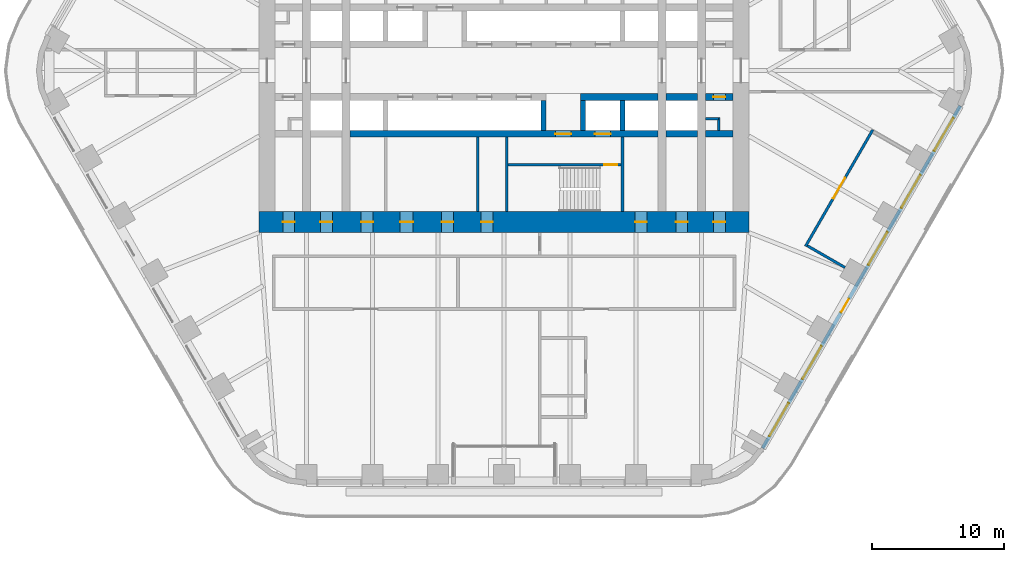
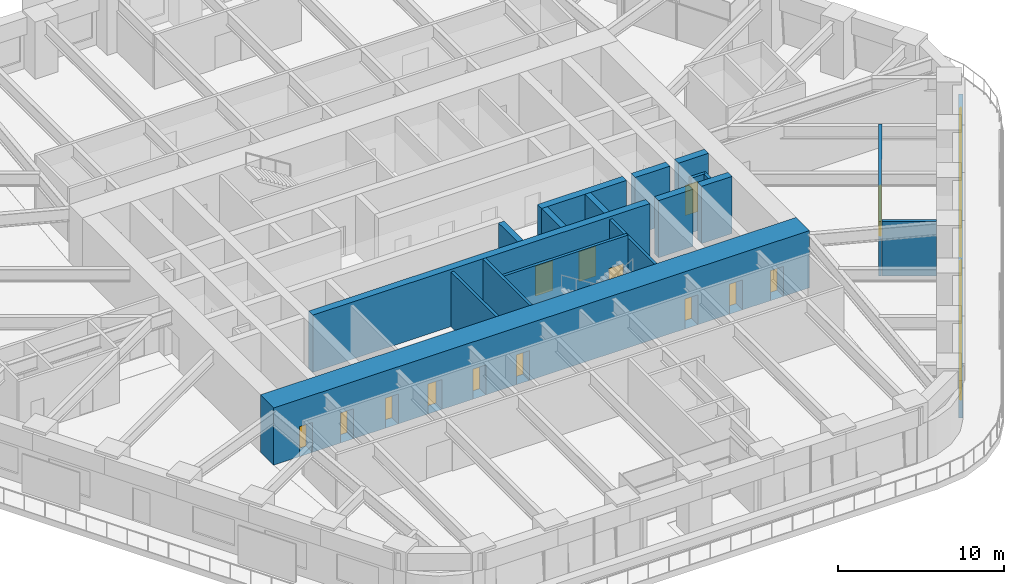
# One storey, part 18 of 24: 19 walls, 15 doors, 5 windows, 20 openings.
"""IFC4 building model written with IfcOpenShell, lengths in metres."""

from ifc_helpers import new_model, si_unit, direction, frame, frame_2d, origin, place, context, subcontext, project, spatial, rectangle, extrude, material, layer, layer_set, type_object, element, fill, save


model = new_model("IFC4")

# Units and contexts
model_context = context("Model", 3, precision=1e-05, world=origin(), true_north=direction((0.0, 1.0)))
body_context = subcontext(model_context, "Body", "Model", "MODEL_VIEW")
ifc_project = project(units=[si_unit("LENGTHUNIT", "METRE"), si_unit("AREAUNIT", "SQUARE_METRE"), si_unit("VOLUMEUNIT", "CUBIC_METRE"), si_unit("PLANEANGLEUNIT", "RADIAN"), si_unit("MASSUNIT", "GRAM", prefix="KILO")], contexts=[model_context])

# Site, building, storey
site_placement = place(None, origin())
site = spatial("IfcSite", under=ifc_project, at=site_placement, CompositionType="ELEMENT")
building_placement = place(site_placement, origin())
building = spatial("IfcBuilding", under=site, at=building_placement, Name="Tarfa Lantern Tower", CompositionType="ELEMENT")
storey_placement = place(building_placement, frame((0.0, 0.0, 153.10009765625)))
storey = spatial("IfcBuildingStorey", under=building, at=storey_placement, Name="L34", CompositionType="ELEMENT", Elevation=153.10009765625)

# Wall, openings, door, windows
ifc_material_1 = material(Name="Limestone cladding on blockwork", Category="masonry")
ifc_layer_1 = layer(ifc_material_1, 0.300048828125)
ifc_layer_set_1 = layer_set([ifc_layer_1], Name="EW1 STONE-CLAD WALL 300")
wall_type_1 = type_object("IfcWallType", Name="EW1 STONE-CLAD WALL 300", PredefinedType="SOLIDWALL", material=ifc_layer_set_1)
wall_1_placement = place(storey_placement, frame((19.644287109375, -28.675048828125, 0.0), z_axis=(0.0, 0.0, 1.0), x_axis=(0.500003084452, 0.866023622968, 0.0)))
wall_1 = element("IfcWall", 1, at=wall_1_placement, inside=storey, type_object=wall_type_1, Name="Stone wall SE", PredefinedType="SOLIDWALL", context=body_context, shape_type="SweptSolid", body=[
    extrude(rectangle(XDim=30.022216796875, YDim=0.300048828125, at=frame_2d((15.01123046875, 0.0))), origin(), (0.0, 0.0, 1.0), 2.75),
])
opening_1_placement = place(wall_1_placement, frame((1.0517578125, 0.0, 0.60009765625)))
opening_1 = element("IfcOpeningElement", 2, at=opening_1_placement, cuts=wall_1, Name="Opening W9", PredefinedType="OPENING", context=body_context, shape_type="SweptSolid", body=[
    extrude(rectangle(XDim=2.89990234375, YDim=1.89990234375, at=frame_2d((1.449951171875, 0.949951171875))), frame((0.0, 0.159912109375, 0.0), z_axis=(0.0, -1.0, 0.0), x_axis=(1.0, 0.0, 0.0)), (0.0, 0.0, 1.0), 0.320068359375),
])
opening_2_placement = place(wall_1_placement, frame((6.0556640625, 0.0, 0.60009765625)))
opening_2 = element("IfcOpeningElement", 3, at=opening_2_placement, cuts=wall_1, Name="Opening W9", PredefinedType="OPENING", context=body_context, shape_type="SweptSolid", body=[
    extrude(rectangle(XDim=2.89990234375, YDim=1.89990234375, at=frame_2d((1.449951171875, 0.949951171875))), frame((0.0, 0.159912109375, 0.0), z_axis=(0.0, -1.0, 0.0), x_axis=(1.0, 0.0, 0.0)), (0.0, 0.0, 1.0), 0.320068359375),
])
opening_3_placement = place(wall_1_placement, frame((11.9091796875, 0.0, 0.0)))
opening_3 = element("IfcOpeningElement", 4, at=opening_3_placement, cuts=wall_1, Name="Opening D49", PredefinedType="OPENING", context=body_context, shape_type="SweptSolid", body=[
    extrude(rectangle(XDim=1.199951171875, YDim=2.39990234375, at=frame_2d((0.60009765625, 1.199951171875))), frame((0.0, 0.159912109375, 0.0), z_axis=(0.0, -1.0, 0.0), x_axis=(1.0, 0.0, 0.0)), (0.0, 0.0, 1.0), 0.320068359375),
])
opening_4_placement = place(wall_1_placement, frame((16.06298828125, 0.0, 0.60009765625)))
opening_4 = element("IfcOpeningElement", 5, at=opening_4_placement, cuts=wall_1, Name="Opening W9", PredefinedType="OPENING", context=body_context, shape_type="SweptSolid", body=[
    extrude(rectangle(XDim=2.89990234375, YDim=1.89990234375, at=frame_2d((1.449951171875, 0.949951171875))), frame((0.0, 0.159912109375, 0.0), z_axis=(0.0, -1.0, 0.0), x_axis=(1.0, 0.0, 0.0)), (0.0, 0.0, 1.0), 0.320068359375),
])
opening_5_placement = place(wall_1_placement, frame((21.066650390625, 0.0, 0.60009765625)))
opening_5 = element("IfcOpeningElement", 6, at=opening_5_placement, cuts=wall_1, Name="Opening W9", PredefinedType="OPENING", context=body_context, shape_type="SweptSolid", body=[
    extrude(rectangle(XDim=2.89990234375, YDim=1.89990234375, at=frame_2d((1.449951171875, 0.949951171875))), frame((0.0, 0.159912109375, 0.0), z_axis=(0.0, -1.0, 0.0), x_axis=(1.0, 0.0, 0.0)), (0.0, 0.0, 1.0), 0.320068359375),
])
opening_6_placement = place(wall_1_placement, frame((26.0703125, 0.0, 0.60009765625)))
opening_6 = element("IfcOpeningElement", 7, at=opening_6_placement, cuts=wall_1, Name="Opening W9", PredefinedType="OPENING", context=body_context, shape_type="SweptSolid", body=[
    extrude(rectangle(XDim=2.89990234375, YDim=1.89990234375, at=frame_2d((1.449951171875, 0.949951171875))), frame((0.0, 0.159912109375, 0.0), z_axis=(0.0, -1.0, 0.0), x_axis=(1.0, 0.0, 0.0)), (0.0, 0.0, 1.0), 0.320068359375),
])
ifc_material_2 = material(Name="Aluminium framed glazed door", Category="aluminium")
door_type_1 = type_object("IfcDoorType", Name="BE3 BALCONY DOOR 1200x2400", OperationType="SINGLE_SWING_RIGHT", PredefinedType="DOOR", material=ifc_material_2)
door_1_placement = place(opening_3_placement, origin())
door_1 = element("IfcDoor", 8, at=door_1_placement, inside=storey, type_object=door_type_1, Name="Balcony door SE", OperationType="SINGLE_SWING_LEFT", OverallHeight=2.39990234375, OverallWidth=1.199951171875, PredefinedType="DOOR", context=body_context, shape_type="SweptSolid", body=[
    extrude(rectangle(XDim=1.199951171875, YDim=2.39990234375, at=frame_2d((0.60009765625, 1.199951171875))), frame((0.0, 0.02490234375, 0.0), z_axis=(0.0, -1.0, 0.0), x_axis=(1.0, 0.0, 0.0)), (0.0, 0.0, 1.0), 0.050048828125),
])
fill(opening_3, door_1)
ifc_material_3 = material(Name="Aluminium frame, double glazed", Category="aluminium")
window_type = type_object("IfcWindowType", Name="W9 FULL-HEIGHT GLAZING 2900x1900", PartitioningType="SINGLE_PANEL", PredefinedType="WINDOW", material=ifc_material_3)
window_1_placement = place(opening_1_placement, origin())
window_1 = element("IfcWindow", 9, at=window_1_placement, inside=storey, type_object=window_type, Name="Window SE 1", OverallHeight=1.89990234375, OverallWidth=2.89990234375, PartitioningType="SINGLE_PANEL", PredefinedType="WINDOW", context=body_context, shape_type="SweptSolid", body=[
    extrude(rectangle(XDim=2.89990234375, YDim=1.89990234375, at=frame_2d((1.449951171875, 0.949951171875))), frame((0.0, 0.030029296875, 0.0), z_axis=(0.0, -1.0, 0.0), x_axis=(1.0, 0.0, 0.0)), (0.0, 0.0, 1.0), 0.06005859375),
])
fill(opening_1, window_1)
window_2_placement = place(opening_2_placement, origin())
window_2 = element("IfcWindow", 10, at=window_2_placement, inside=storey, type_object=window_type, Name="Window SE 2", OverallHeight=1.89990234375, OverallWidth=2.89990234375, PartitioningType="SINGLE_PANEL", PredefinedType="WINDOW", context=body_context, shape_type="SweptSolid", body=[
    extrude(rectangle(XDim=2.89990234375, YDim=1.89990234375, at=frame_2d((1.449951171875, 0.949951171875))), frame((0.0, 0.030029296875, 0.0), z_axis=(0.0, -1.0, 0.0), x_axis=(1.0, 0.0, 0.0)), (0.0, 0.0, 1.0), 0.06005859375),
])
fill(opening_2, window_2)
window_3_placement = place(opening_4_placement, origin())
window_3 = element("IfcWindow", 11, at=window_3_placement, inside=storey, type_object=window_type, Name="Window SE 4", OverallHeight=1.89990234375, OverallWidth=2.89990234375, PartitioningType="SINGLE_PANEL", PredefinedType="WINDOW", context=body_context, shape_type="SweptSolid", body=[
    extrude(rectangle(XDim=2.89990234375, YDim=1.89990234375, at=frame_2d((1.449951171875, 0.949951171875))), frame((0.0, 0.030029296875, 0.0), z_axis=(0.0, -1.0, 0.0), x_axis=(1.0, 0.0, 0.0)), (0.0, 0.0, 1.0), 0.06005859375),
])
fill(opening_4, window_3)
window_4_placement = place(opening_5_placement, origin())
window_4 = element("IfcWindow", 12, at=window_4_placement, inside=storey, type_object=window_type, Name="Window SE 5", OverallHeight=1.89990234375, OverallWidth=2.89990234375, PartitioningType="SINGLE_PANEL", PredefinedType="WINDOW", context=body_context, shape_type="SweptSolid", body=[
    extrude(rectangle(XDim=2.89990234375, YDim=1.89990234375, at=frame_2d((1.449951171875, 0.949951171875))), frame((0.0, 0.030029296875, 0.0), z_axis=(0.0, -1.0, 0.0), x_axis=(1.0, 0.0, 0.0)), (0.0, 0.0, 1.0), 0.06005859375),
])
fill(opening_5, window_4)
window_5_placement = place(opening_6_placement, origin())
window_5 = element("IfcWindow", 13, at=window_5_placement, inside=storey, type_object=window_type, Name="Window SE 6", OverallHeight=1.89990234375, OverallWidth=2.89990234375, PartitioningType="SINGLE_PANEL", PredefinedType="WINDOW", context=body_context, shape_type="SweptSolid", body=[
    extrude(rectangle(XDim=2.89990234375, YDim=1.89990234375, at=frame_2d((1.449951171875, 0.949951171875))), frame((0.0, 0.030029296875, 0.0), z_axis=(0.0, -1.0, 0.0), x_axis=(1.0, 0.0, 0.0)), (0.0, 0.0, 1.0), 0.06005859375),
])
fill(opening_6, window_5)

# Walls
ifc_material_4 = material(Name="Concrete blockwork", Category="masonry")
ifc_layer_2 = layer(ifc_material_4, 0.199951171875)
ifc_layer_set_2 = layer_set([ifc_layer_2], Name="IW1 BLOCKWORK PARTITION 200 EI 120")
wall_type_2 = type_object("IfcWallType", Name="IW1 BLOCKWORK PARTITION 200 EI 120", PredefinedType="PARTITIONING", material=ifc_layer_set_2)
for number, where, z_axis, x_axis, name in (
    (14, (9.0, -5.050048828125, 0.0), (0.0, 0.0, 1.0), (0.0, -1.0, 0.0), "Core partition"),
    (15, (-2.0, -5.050048828125, 0.0), (0.0, 0.0, 1.0), (0.0, -1.0, 0.0), "Core partition"),
):
    element("IfcWall", number, at=place(storey_placement, frame(where, z_axis=z_axis, x_axis=x_axis)), inside=storey, type_object=wall_type_2, Name=name, PredefinedType="PARTITIONING", context=body_context, shape_type="SweptSolid", body=[
        extrude(rectangle(XDim=5.64990234375, YDim=0.199951171875, at=frame_2d((2.824951171875, 0.0))), origin(), (0.0, 0.0, 1.0), 4.0),
    ])
for number, where, z_axis, x_axis, name in (
    (16, (16.300048828125, -3.64990234375, 0.0), (0.0, 0.0, 1.0), (-1.0, 0.0, 0.0), "Core partition"),
    (17, (16.300048828125, -3.550048828125, 0.0), (0.0, 0.0, 1.0), (0.0, -1.0, 0.0), "Core partition"),
):
    element("IfcWall", number, at=place(storey_placement, frame(where, z_axis=z_axis, x_axis=x_axis)), inside=storey, type_object=wall_type_2, Name=name, PredefinedType="PARTITIONING", context=body_context, shape_type="SweptSolid", body=[
        extrude(rectangle(XDim=1.0, YDim=0.199951171875, at=frame_2d((0.5, 0.0))), origin(), (0.0, 0.0, 1.0), 4.0),
    ])

# Wall, opening, door
ifc_material_5 = material(Name="Gypsum board on steel studs", Category="steel")
ifc_layer_3 = layer(ifc_material_5, 0.2099609375)
ifc_layer_set_3 = layer_set([ifc_layer_3], Name="IW2 ACOUSTIC PARTITION 200")
wall_type_3 = type_object("IfcWallType", Name="IW2 ACOUSTIC PARTITION 200", PredefinedType="PARTITIONING", material=ifc_layer_set_3)
wall_2_placement = place(storey_placement, frame((22.899658203125, -13.336669921875, 0.0), z_axis=(0.0, 0.0, 1.0), x_axis=(0.500005407604, 0.86602228168, 0.0)))
wall_2 = element("IfcWall", 18, at=wall_2_placement, inside=storey, type_object=wall_type_3, Name="Partition", PredefinedType="PARTITIONING", context=body_context, shape_type="SweptSolid", body=[
    extrude(rectangle(XDim=10.20751953125, YDim=0.199951171875, at=frame_2d((5.103759765625, 0.0))), origin(), (0.0, 0.0, 1.0), 4.0),
])
opening_7_placement = place(wall_2_placement, frame((4.20361328125, 0.0, 0.0)))
opening_7 = element("IfcOpeningElement", 19, at=opening_7_placement, cuts=wall_2, Name="Opening D36", PredefinedType="OPENING", context=body_context, shape_type="SweptSolid", body=[
    extrude(rectangle(XDim=1.800048828125, YDim=2.39990234375, at=frame_2d((0.89990234375, 1.199951171875))), frame((0.0, 0.10986328125, 0.0), z_axis=(0.0, -1.0, 0.0), x_axis=(1.0, 0.0, 0.0)), (0.0, 0.0, 1.0), 0.219970703125),
])
ifc_material_6 = material(Name="Timber door", Category="wood")
door_type_2 = type_object("IfcDoorType", Name="DR2 ROOM DOOR 1800x2400", OperationType="DOUBLE_DOOR_SINGLE_SWING", PredefinedType="DOOR", material=ifc_material_6)
door_2_placement = place(opening_7_placement, frame((1.800048828125, 0.0, 0.0), z_axis=(0.0, 0.0, 1.0), x_axis=(-1.0, 0.0, 0.0)))
door_2 = element("IfcDoor", 20, at=door_2_placement, inside=storey, type_object=door_type_2, Name="Reading room door", OperationType="DOUBLE_DOOR_SINGLE_SWING", OverallHeight=2.39990234375, OverallWidth=1.800048828125, PredefinedType="DOOR", context=body_context, shape_type="SweptSolid", body=[
    extrude(rectangle(XDim=1.800048828125, YDim=2.39990234375, at=frame_2d((0.89990234375, 1.199951171875))), frame((0.0, 0.02490234375, 0.0), z_axis=(0.0, -1.0, 0.0), x_axis=(1.0, 0.0, 0.0)), (0.0, 0.0, 1.0), 0.050048828125),
])
fill(opening_7, door_2)

# Walls
wall_3_placement = place(storey_placement, frame((23.036376953125, -13.300048828125, 0.0), z_axis=(0.0, 0.0, 1.0), x_axis=(0.866021716278, -0.500006386895, 0.0)))
element("IfcWall", 21, at=wall_3_placement, inside=storey, type_object=wall_type_3, Name="Partition", PredefinedType="PARTITIONING", context=body_context, shape_type="SweptSolid", body=[
    extrude(rectangle(XDim=3.2998046875, YDim=0.199951171875, at=frame_2d((1.64990234375, 0.0))), origin(), (0.0, 0.0, 1.0), 4.0),
])
ifc_material_7 = material(Name="Concrete C80/95", Category="concrete")
ifc_layer_4 = layer(ifc_material_7, 0.199951171875)
ifc_layer_set_4 = layer_set([ifc_layer_4], Name="SW12 CORE WALL 200")
wall_type_4 = type_object("IfcWallType", Name="SW12 CORE WALL 200", PredefinedType="SHEAR", material=ifc_layer_set_4)
wall_4_placement = place(storey_placement, frame((0.199951171875, -5.050048828125, 0.0), z_axis=(0.0, 0.0, 1.0), x_axis=(0.0, -1.0, 0.0)))
element("IfcWall", 22, at=wall_4_placement, inside=storey, type_object=wall_type_4, Name="Core wall stair shaft S", PredefinedType="SHEAR", context=body_context, shape_type="SweptSolid", body=[
    extrude(rectangle(XDim=5.64990234375, YDim=0.199951171875, at=frame_2d((2.824951171875, 0.0))), origin(), (0.0, 0.0, 1.0), 4.199951171875),
])

# Wall, opening, door
wall_5_placement = place(storey_placement, frame((8.89990234375, -7.14990234375, 0.0), z_axis=(0.0, 0.0, 1.0), x_axis=(-1.0, 0.0, 0.0)))
wall_5 = element("IfcWall", 23, at=wall_5_placement, inside=storey, type_object=wall_type_4, Name="Core wall stair partition S", PredefinedType="SHEAR", context=body_context, shape_type="SweptSolid", body=[
    extrude(rectangle(XDim=8.599853515625, YDim=0.199951171875, at=frame_2d((4.2998046875, 0.0))), origin(), (0.0, 0.0, 1.0), 4.199951171875),
])
opening_8_placement = place(wall_5_placement, frame((0.300048828125, 0.0, 0.0)))
opening_8 = element("IfcOpeningElement", 24, at=opening_8_placement, cuts=wall_5, Name="Opening D28", PredefinedType="OPENING", context=body_context, shape_type="SweptSolid", body=[
    extrude(rectangle(XDim=1.0, YDim=2.199951171875, at=frame_2d((0.5, 1.10009765625))), frame((0.0, 0.10986328125, 0.0), z_axis=(0.0, -1.0, 0.0), x_axis=(1.0, 0.0, 0.0)), (0.0, 0.0, 1.0), 0.219970703125),
])
ifc_material_8 = material(Name="Steel fire door", Category="steel")
door_type_3 = type_object("IfcDoorType", Name="DF2 STAIR DOOR 1000x2200", OperationType="SINGLE_SWING_LEFT", PredefinedType="DOOR", material=ifc_material_8)
door_3_placement = place(opening_8_placement, origin())
door_3 = element("IfcDoor", 25, at=door_3_placement, inside=storey, type_object=door_type_3, Name="Stair door", OperationType="SINGLE_SWING_RIGHT", OverallHeight=2.199951171875, OverallWidth=1.0, PredefinedType="DOOR", context=body_context, shape_type="SweptSolid", body=[
    extrude(rectangle(XDim=1.0, YDim=2.199951171875, at=frame_2d((0.5, 1.10009765625))), frame((0.0, 0.02490234375, 0.0), z_axis=(0.0, -1.0, 0.0), x_axis=(1.0, 0.0, 0.0)), (0.0, 0.0, 1.0), 0.050048828125),
])
fill(opening_8, door_3)

ifc_layer_5 = layer(ifc_material_7, 0.5)
ifc_layer_set_5 = layer_set([ifc_layer_5], Name="SW5 CORE WALL 500")
wall_type_5 = type_object("IfcWallType", Name="SW5 CORE WALL 500", PredefinedType="SHEAR", material=ifc_layer_set_5)
wall_6_placement = place(storey_placement, frame((17.39990234375, -2.0, 0.0), z_axis=(0.0, 0.0, 1.0), x_axis=(-1.0, 0.0, 0.0)))
wall_6 = element("IfcWall", 26, at=wall_6_placement, inside=storey, type_object=wall_type_5, Name="Core wall lobby west S", PredefinedType="SHEAR", context=body_context, shape_type="SweptSolid", body=[
    extrude(rectangle(XDim=2.099853515625, YDim=0.5, at=frame_2d((1.0498046875, 0.0))), origin(), (0.0, 0.0, 1.0), 4.199951171875),
])
opening_9_placement = place(wall_6_placement, frame((0.60009765625, 0.0, 0.0)))
opening_9 = element("IfcOpeningElement", 27, at=opening_9_placement, cuts=wall_6, Name="Opening D20", PredefinedType="OPENING", context=body_context, shape_type="SweptSolid", body=[
    extrude(rectangle(XDim=0.89990234375, YDim=2.199951171875, at=frame_2d((0.449951171875, 1.10009765625))), frame((0.0, 0.260009765625, 0.0), z_axis=(0.0, -1.0, 0.0), x_axis=(1.0, 0.0, 0.0)), (0.0, 0.0, 1.0), 0.52001953125),
])
door_type_4 = type_object("IfcDoorType", Name="DF6 SERVICE ROOM DOOR 900x2200", OperationType="SINGLE_SWING_LEFT", PredefinedType="DOOR", material=ifc_material_8)
door_4_placement = place(opening_9_placement, origin())
door_4 = element("IfcDoor", 28, at=door_4_placement, inside=storey, type_object=door_type_4, Name="Service room door", OperationType="SINGLE_SWING_LEFT", OverallHeight=2.199951171875, OverallWidth=0.89990234375, PredefinedType="DOOR", context=body_context, shape_type="SweptSolid", body=[
    extrude(rectangle(XDim=0.89990234375, YDim=2.199951171875, at=frame_2d((0.449951171875, 1.10009765625))), frame((0.0, 0.02490234375, 0.0), z_axis=(0.0, -1.0, 0.0), x_axis=(1.0, 0.0, 0.0)), (0.0, 0.0, 1.0), 0.050048828125),
])
fill(opening_9, door_4)

# Walls
wall_7_placement = place(storey_placement, frame((14.699951171875, -2.0, 0.0), z_axis=(0.0, 0.0, 1.0), x_axis=(-1.0, 0.0, 0.0)))
element("IfcWall", 29, at=wall_7_placement, inside=storey, type_object=wall_type_5, Name="Core wall lobby west S", PredefinedType="SHEAR", context=body_context, shape_type="SweptSolid", body=[
    extrude(rectangle(XDim=2.39990234375, YDim=0.5, at=frame_2d((1.199951171875, 0.0))), origin(), (0.0, 0.0, 1.0), 4.199951171875),
])
wall_8_placement = place(storey_placement, frame((11.699951171875, -2.0, 0.0), z_axis=(0.0, 0.0, 1.0), x_axis=(-1.0, 0.0, 0.0)))
element("IfcWall", 30, at=wall_8_placement, inside=storey, type_object=wall_type_5, Name="Core wall lobby west S", PredefinedType="SHEAR", context=body_context, shape_type="SweptSolid", body=[
    extrude(rectangle(XDim=5.89990234375, YDim=0.5, at=frame_2d((2.949951171875, 0.0))), origin(), (0.0, 0.0, 1.0), 4.199951171875),
])
wall_9_placement = place(storey_placement, frame((17.39990234375, -4.800048828125, 0.0), z_axis=(0.0, 0.0, 1.0), x_axis=(-1.0, 0.0, 0.0)))
element("IfcWall", 31, at=wall_9_placement, inside=storey, type_object=wall_type_5, Name="Core wall rear S", PredefinedType="SHEAR", context=body_context, shape_type="SweptSolid", body=[
    extrude(rectangle(XDim=2.099853515625, YDim=0.5, at=frame_2d((1.0498046875, 0.0))), origin(), (0.0, 0.0, 1.0), 4.199951171875),
])
wall_10_placement = place(storey_placement, frame((14.699951171875, -4.800048828125, 0.0), z_axis=(0.0, 0.0, 1.0), x_axis=(-1.0, 0.0, 0.0)))
element("IfcWall", 32, at=wall_10_placement, inside=storey, type_object=wall_type_5, Name="Core wall rear S", PredefinedType="SHEAR", context=body_context, shape_type="SweptSolid", body=[
    extrude(rectangle(XDim=2.39990234375, YDim=0.5, at=frame_2d((1.199951171875, 0.0))), origin(), (0.0, 0.0, 1.0), 4.199951171875),
])

# Wall, openings, doors
wall_11_placement = place(storey_placement, frame((11.699951171875, -4.800048828125, 0.0), z_axis=(0.0, 0.0, 1.0), x_axis=(-1.0, 0.0, 0.0)))
wall_11 = element("IfcWall", 33, at=wall_11_placement, inside=storey, type_object=wall_type_5, Name="Core wall rear S", PredefinedType="SHEAR", context=body_context, shape_type="SweptSolid", body=[
    extrude(rectangle(XDim=23.39990234375, YDim=0.5, at=frame_2d((11.699951171875, 0.0))), origin(), (0.0, 0.0, 1.0), 4.199951171875),
])
opening_10_placement = place(wall_11_placement, frame((6.60009765625, 0.0, 0.0)))
opening_10 = element("IfcOpeningElement", 34, at=opening_10_placement, cuts=wall_11, Name="Opening D14", PredefinedType="OPENING", context=body_context, shape_type="SweptSolid", body=[
    extrude(rectangle(XDim=1.199951171875, YDim=2.199951171875, at=frame_2d((0.60009765625, 1.10009765625))), frame((0.0, 0.260009765625, 0.0), z_axis=(0.0, -1.0, 0.0), x_axis=(1.0, 0.0, 0.0)), (0.0, 0.0, 1.0), 0.52001953125),
])
opening_11_placement = place(wall_11_placement, frame((3.60009765625, 0.0, 0.0)))
opening_11 = element("IfcOpeningElement", 35, at=opening_11_placement, cuts=wall_11, Name="Opening LD02", PredefinedType="OPENING", context=body_context, shape_type="SweptSolid", body=[
    extrude(rectangle(XDim=1.199951171875, YDim=2.199951171875, at=frame_2d((0.60009765625, 1.10009765625))), frame((0.0, 0.260009765625, 0.0), z_axis=(0.0, -1.0, 0.0), x_axis=(1.0, 0.0, 0.0)), (0.0, 0.0, 1.0), 0.52001953125),
])
door_type_5 = type_object("IfcDoorType", Name="DF1 FIREFIGHTING LOBBY DOOR 1200x2200", OperationType="SINGLE_SWING_LEFT", PredefinedType="DOOR", material=ifc_material_8)
door_5_placement = place(opening_10_placement, origin())
door_5 = element("IfcDoor", 36, at=door_5_placement, inside=storey, type_object=door_type_5, Name="Firefighting lobby door", OperationType="SINGLE_SWING_LEFT", OverallHeight=2.199951171875, OverallWidth=1.199951171875, PredefinedType="DOOR", context=body_context, shape_type="SweptSolid", body=[
    extrude(rectangle(XDim=1.199951171875, YDim=2.199951171875, at=frame_2d((0.60009765625, 1.10009765625))), frame((0.0, 0.02490234375, 0.0), z_axis=(0.0, -1.0, 0.0), x_axis=(1.0, 0.0, 0.0)), (0.0, 0.0, 1.0), 0.050048828125),
])
fill(opening_10, door_5)
ifc_material_9 = material(Name="Stainless steel lift door", Category="steel")
door_type_6 = type_object("IfcDoorType", Name="LD1 LIFT LANDING DOOR 1200x2200", OperationType="SLIDING_TO_LEFT", PredefinedType="DOOR", material=ifc_material_9)
door_6_placement = place(opening_11_placement, origin())
door_6 = element("IfcDoor", 37, at=door_6_placement, inside=storey, type_object=door_type_6, Name="Landing door FL2", OperationType="SLIDING_TO_LEFT", OverallHeight=2.199951171875, OverallWidth=1.199951171875, PredefinedType="DOOR", context=body_context, shape_type="SweptSolid", body=[
    extrude(rectangle(XDim=1.199951171875, YDim=2.199951171875, at=frame_2d((0.60009765625, 1.10009765625))), frame((0.0, 0.02490234375, 0.0), z_axis=(0.0, -1.0, 0.0), x_axis=(1.0, 0.0, 0.0)), (0.0, 0.0, 1.0), 0.050048828125),
])
fill(opening_11, door_6)

# Walls
ifc_layer_6 = layer(ifc_material_7, 0.39990234375)
ifc_layer_set_6 = layer_set([ifc_layer_6], Name="SW6 CORE WALL 400")
wall_type_6 = type_object("IfcWallType", Name="SW6 CORE WALL 400", PredefinedType="SHEAR", material=ifc_layer_set_6)
for number, where, z_axis, x_axis, name in (
    (38, (9.0, -2.25, 0.0), (0.0, 0.0, 1.0), (0.0, -1.0, 0.0), "Core wall divider S"),
    (39, (6.0, -2.25, 0.0), (0.0, 0.0, 1.0), (0.0, -1.0, 0.0), "Core wall divider S"),
    (40, (3.0, -2.25, 0.0), (0.0, 0.0, 1.0), (0.0, -1.0, 0.0), "Core wall divider S"),
):
    element("IfcWall", number, at=place(storey_placement, frame(where, z_axis=z_axis, x_axis=x_axis)), inside=storey, type_object=wall_type_6, Name=name, PredefinedType="SHEAR", context=body_context, shape_type="SweptSolid", body=[
        extrude(rectangle(XDim=2.300048828125, YDim=0.39990234375, at=frame_2d((1.14990234375, 0.0))), origin(), (0.0, 0.0, 1.0), 4.199951171875),
    ])

# Wall, openings, doors
ifc_layer_7 = layer(ifc_material_7, 1.60009765625)
ifc_layer_set_7 = layer_set([ifc_layer_7], Name="SW7 CORE WALL 1600")
wall_type_7 = type_object("IfcWallType", Name="SW7 CORE WALL 1600", PredefinedType="SHEAR", material=ifc_layer_set_7)
wall_12_placement = place(storey_placement, frame((18.60009765625, -11.5, 0.0), z_axis=(0.0, 0.0, 1.0), x_axis=(-1.0, 0.0, 0.0)))
wall_12 = element("IfcWall", 41, at=wall_12_placement, inside=storey, type_object=wall_type_7, Name="Core wall S", PredefinedType="SHEAR", context=body_context, shape_type="SweptSolid", body=[
    extrude(rectangle(XDim=37.2001953125, YDim=1.60009765625, at=frame_2d((18.60009765625, 0.0))), origin(), (0.0, 0.0, 1.0), 4.199951171875),
])
opening_12_placement = place(wall_12_placement, frame((19.449951171875, 0.0, 0.0)))
opening_12 = element("IfcOpeningElement", 42, at=opening_12_placement, cuts=wall_12, Name="Opening D22", PredefinedType="OPENING", context=body_context, shape_type="SweptSolid", body=[
    extrude(rectangle(XDim=0.89990234375, YDim=2.199951171875, at=frame_2d((0.449951171875, 1.10009765625))), frame((0.0, 0.81005859375, 0.0), z_axis=(0.0, -1.0, 0.0), x_axis=(1.0, 0.0, 0.0)), (0.0, 0.0, 1.0), 1.6201171875),
])
opening_13_placement = place(wall_12_placement, frame((22.449951171875, 0.0, 0.0)))
opening_13 = element("IfcOpeningElement", 43, at=opening_13_placement, cuts=wall_12, Name="Opening D24", PredefinedType="OPENING", context=body_context, shape_type="SweptSolid", body=[
    extrude(rectangle(XDim=0.89990234375, YDim=2.199951171875, at=frame_2d((0.449951171875, 1.10009765625))), frame((0.0, 0.81005859375, 0.0), z_axis=(0.0, -1.0, 0.0), x_axis=(1.0, 0.0, 0.0)), (0.0, 0.0, 1.0), 1.6201171875),
])
opening_14_placement = place(wall_12_placement, frame((25.5, 0.0, 0.0)))
opening_14 = element("IfcOpeningElement", 44, at=opening_14_placement, cuts=wall_12, Name="Opening D26", PredefinedType="OPENING", context=body_context, shape_type="SweptSolid", body=[
    extrude(rectangle(XDim=1.0, YDim=2.199951171875, at=frame_2d((0.5, 1.10009765625))), frame((0.0, 0.81005859375, 0.0), z_axis=(0.0, -1.0, 0.0), x_axis=(1.0, 0.0, 0.0)), (0.0, 0.0, 1.0), 1.6201171875),
])
opening_15_placement = place(wall_12_placement, frame((1.800048828125, 0.0, 0.0)))
opening_15 = element("IfcOpeningElement", 45, at=opening_15_placement, cuts=wall_12, Name="Opening D12", PredefinedType="OPENING", context=body_context, shape_type="SweptSolid", body=[
    extrude(rectangle(XDim=0.89990234375, YDim=2.199951171875, at=frame_2d((0.449951171875, 1.10009765625))), frame((0.0, 0.81005859375, 0.0), z_axis=(0.0, -1.0, 0.0), x_axis=(1.0, 0.0, 0.0)), (0.0, 0.0, 1.0), 1.6201171875),
])
opening_16_placement = place(wall_12_placement, frame((4.64990234375, 0.0, 0.0)))
opening_16 = element("IfcOpeningElement", 46, at=opening_16_placement, cuts=wall_12, Name="Opening D08", PredefinedType="OPENING", context=body_context, shape_type="SweptSolid", body=[
    extrude(rectangle(XDim=0.89990234375, YDim=2.199951171875, at=frame_2d((0.449951171875, 1.10009765625))), frame((0.0, 0.81005859375, 0.0), z_axis=(0.0, -1.0, 0.0), x_axis=(1.0, 0.0, 0.0)), (0.0, 0.0, 1.0), 1.6201171875),
])
opening_17_placement = place(wall_12_placement, frame((7.75, 0.0, 0.0)))
opening_17 = element("IfcOpeningElement", 47, at=opening_17_placement, cuts=wall_12, Name="Opening D10", PredefinedType="OPENING", context=body_context, shape_type="SweptSolid", body=[
    extrude(rectangle(XDim=0.89990234375, YDim=2.199951171875, at=frame_2d((0.449951171875, 1.10009765625))), frame((0.0, 0.81005859375, 0.0), z_axis=(0.0, -1.0, 0.0), x_axis=(1.0, 0.0, 0.0)), (0.0, 0.0, 1.0), 1.6201171875),
])
opening_18_placement = place(wall_12_placement, frame((28.550048828125, 0.0, 0.0)))
opening_18 = element("IfcOpeningElement", 48, at=opening_18_placement, cuts=wall_12, Name="Opening D06", PredefinedType="OPENING", context=body_context, shape_type="SweptSolid", body=[
    extrude(rectangle(XDim=0.89990234375, YDim=2.199951171875, at=frame_2d((0.449951171875, 1.10009765625))), frame((0.0, 0.81005859375, 0.0), z_axis=(0.0, -1.0, 0.0), x_axis=(1.0, 0.0, 0.0)), (0.0, 0.0, 1.0), 1.6201171875),
])
opening_19_placement = place(wall_12_placement, frame((31.64990234375, 0.0, 0.0)))
opening_19 = element("IfcOpeningElement", 49, at=opening_19_placement, cuts=wall_12, Name="Opening D02", PredefinedType="OPENING", context=body_context, shape_type="SweptSolid", body=[
    extrude(rectangle(XDim=0.89990234375, YDim=2.199951171875, at=frame_2d((0.449951171875, 1.10009765625))), frame((0.0, 0.81005859375, 0.0), z_axis=(0.0, -1.0, 0.0), x_axis=(1.0, 0.0, 0.0)), (0.0, 0.0, 1.0), 1.6201171875),
])
opening_20_placement = place(wall_12_placement, frame((34.5, 0.0, 0.0)))
opening_20 = element("IfcOpeningElement", 50, at=opening_20_placement, cuts=wall_12, Name="Opening D04", PredefinedType="OPENING", context=body_context, shape_type="SweptSolid", body=[
    extrude(rectangle(XDim=0.89990234375, YDim=2.199951171875, at=frame_2d((0.449951171875, 1.10009765625))), frame((0.0, 0.81005859375, 0.0), z_axis=(0.0, -1.0, 0.0), x_axis=(1.0, 0.0, 0.0)), (0.0, 0.0, 1.0), 1.6201171875),
])
door_type_7 = type_object("IfcDoorType", Name="DF3 CORE ROOM DOOR 900x2200", OperationType="SINGLE_SWING_LEFT", PredefinedType="DOOR", material=ifc_material_8)
door_7_placement = place(opening_12_placement, frame((0.89990234375, 0.0, 0.0), z_axis=(0.0, 0.0, 1.0), x_axis=(-1.0, 0.0, 0.0)))
door_7 = element("IfcDoor", 51, at=door_7_placement, inside=storey, type_object=door_type_7, Name="Core door", OperationType="SINGLE_SWING_RIGHT", OverallHeight=2.199951171875, OverallWidth=0.89990234375, PredefinedType="DOOR", context=body_context, shape_type="SweptSolid", body=[
    extrude(rectangle(XDim=0.89990234375, YDim=2.199951171875, at=frame_2d((0.449951171875, 1.10009765625))), frame((0.0, 0.02490234375, 0.0), z_axis=(0.0, -1.0, 0.0), x_axis=(1.0, 0.0, 0.0)), (0.0, 0.0, 1.0), 0.050048828125),
])
fill(opening_12, door_7)
door_8_placement = place(opening_13_placement, frame((0.89990234375, 0.0, 0.0), z_axis=(0.0, 0.0, 1.0), x_axis=(-1.0, 0.0, 0.0)))
door_8 = element("IfcDoor", 52, at=door_8_placement, inside=storey, type_object=door_type_7, Name="Core door", OperationType="SINGLE_SWING_LEFT", OverallHeight=2.199951171875, OverallWidth=0.89990234375, PredefinedType="DOOR", context=body_context, shape_type="SweptSolid", body=[
    extrude(rectangle(XDim=0.89990234375, YDim=2.199951171875, at=frame_2d((0.449951171875, 1.10009765625))), frame((0.0, 0.02490234375, 0.0), z_axis=(0.0, -1.0, 0.0), x_axis=(1.0, 0.0, 0.0)), (0.0, 0.0, 1.0), 0.050048828125),
])
fill(opening_13, door_8)
door_type_8 = type_object("IfcDoorType", Name="DF4 CORE ROOM DOOR 1000x2200", OperationType="SINGLE_SWING_LEFT", PredefinedType="DOOR", material=ifc_material_8)
door_9_placement = place(opening_14_placement, frame((1.0, 0.0, 0.0), z_axis=(0.0, 0.0, 1.0), x_axis=(-1.0, 0.0, 0.0)))
door_9 = element("IfcDoor", 53, at=door_9_placement, inside=storey, type_object=door_type_8, Name="Core door", OperationType="SINGLE_SWING_RIGHT", OverallHeight=2.199951171875, OverallWidth=1.0, PredefinedType="DOOR", context=body_context, shape_type="SweptSolid", body=[
    extrude(rectangle(XDim=1.0, YDim=2.199951171875, at=frame_2d((0.5, 1.10009765625))), frame((0.0, 0.02490234375, 0.0), z_axis=(0.0, -1.0, 0.0), x_axis=(1.0, 0.0, 0.0)), (0.0, 0.0, 1.0), 0.050048828125),
])
fill(opening_14, door_9)
door_type_9 = type_object("IfcDoorType", Name="DF5 RISER DOOR 900x2200", OperationType="SINGLE_SWING_LEFT", PredefinedType="DOOR", material=ifc_material_8)
door_10_placement = place(opening_15_placement, frame((0.89990234375, 0.0, 0.0), z_axis=(0.0, 0.0, 1.0), x_axis=(-1.0, 0.0, 0.0)))
door_10 = element("IfcDoor", 54, at=door_10_placement, inside=storey, type_object=door_type_9, Name="Riser door", OperationType="SINGLE_SWING_LEFT", OverallHeight=2.199951171875, OverallWidth=0.89990234375, PredefinedType="DOOR", context=body_context, shape_type="SweptSolid", body=[
    extrude(rectangle(XDim=0.89990234375, YDim=2.199951171875, at=frame_2d((0.449951171875, 1.10009765625))), frame((0.0, 0.02490234375, 0.0), z_axis=(0.0, -1.0, 0.0), x_axis=(1.0, 0.0, 0.0)), (0.0, 0.0, 1.0), 0.050048828125),
])
fill(opening_15, door_10)
door_11_placement = place(opening_16_placement, frame((0.89990234375, 0.0, 0.0), z_axis=(0.0, 0.0, 1.0), x_axis=(-1.0, 0.0, 0.0)))
door_11 = element("IfcDoor", 55, at=door_11_placement, inside=storey, type_object=door_type_9, Name="Riser door", OperationType="SINGLE_SWING_LEFT", OverallHeight=2.199951171875, OverallWidth=0.89990234375, PredefinedType="DOOR", context=body_context, shape_type="SweptSolid", body=[
    extrude(rectangle(XDim=0.89990234375, YDim=2.199951171875, at=frame_2d((0.449951171875, 1.10009765625))), frame((0.0, 0.02490234375, 0.0), z_axis=(0.0, -1.0, 0.0), x_axis=(1.0, 0.0, 0.0)), (0.0, 0.0, 1.0), 0.050048828125),
])
fill(opening_16, door_11)
door_12_placement = place(opening_17_placement, frame((0.89990234375, 0.0, 0.0), z_axis=(0.0, 0.0, 1.0), x_axis=(-1.0, 0.0, 0.0)))
door_12 = element("IfcDoor", 56, at=door_12_placement, inside=storey, type_object=door_type_9, Name="Riser door", OperationType="SINGLE_SWING_LEFT", OverallHeight=2.199951171875, OverallWidth=0.89990234375, PredefinedType="DOOR", context=body_context, shape_type="SweptSolid", body=[
    extrude(rectangle(XDim=0.89990234375, YDim=2.199951171875, at=frame_2d((0.449951171875, 1.10009765625))), frame((0.0, 0.02490234375, 0.0), z_axis=(0.0, -1.0, 0.0), x_axis=(1.0, 0.0, 0.0)), (0.0, 0.0, 1.0), 0.050048828125),
])
fill(opening_17, door_12)
door_13_placement = place(opening_18_placement, frame((0.89990234375, 0.0, 0.0), z_axis=(0.0, 0.0, 1.0), x_axis=(-1.0, 0.0, 0.0)))
door_13 = element("IfcDoor", 57, at=door_13_placement, inside=storey, type_object=door_type_9, Name="Riser door", OperationType="SINGLE_SWING_RIGHT", OverallHeight=2.199951171875, OverallWidth=0.89990234375, PredefinedType="DOOR", context=body_context, shape_type="SweptSolid", body=[
    extrude(rectangle(XDim=0.89990234375, YDim=2.199951171875, at=frame_2d((0.449951171875, 1.10009765625))), frame((0.0, 0.02490234375, 0.0), z_axis=(0.0, -1.0, 0.0), x_axis=(1.0, 0.0, 0.0)), (0.0, 0.0, 1.0), 0.050048828125),
])
fill(opening_18, door_13)
door_14_placement = place(opening_19_placement, frame((0.89990234375, 0.0, 0.0), z_axis=(0.0, 0.0, 1.0), x_axis=(-1.0, 0.0, 0.0)))
door_14 = element("IfcDoor", 58, at=door_14_placement, inside=storey, type_object=door_type_9, Name="Riser door", OperationType="SINGLE_SWING_RIGHT", OverallHeight=2.199951171875, OverallWidth=0.89990234375, PredefinedType="DOOR", context=body_context, shape_type="SweptSolid", body=[
    extrude(rectangle(XDim=0.89990234375, YDim=2.199951171875, at=frame_2d((0.449951171875, 1.10009765625))), frame((0.0, 0.02490234375, 0.0), z_axis=(0.0, -1.0, 0.0), x_axis=(1.0, 0.0, 0.0)), (0.0, 0.0, 1.0), 0.050048828125),
])
fill(opening_19, door_14)
door_15_placement = place(opening_20_placement, frame((0.89990234375, 0.0, 0.0), z_axis=(0.0, 0.0, 1.0), x_axis=(-1.0, 0.0, 0.0)))
door_15 = element("IfcDoor", 59, at=door_15_placement, inside=storey, type_object=door_type_9, Name="Riser door", OperationType="SINGLE_SWING_RIGHT", OverallHeight=2.199951171875, OverallWidth=0.89990234375, PredefinedType="DOOR", context=body_context, shape_type="SweptSolid", body=[
    extrude(rectangle(XDim=0.89990234375, YDim=2.199951171875, at=frame_2d((0.449951171875, 1.10009765625))), frame((0.0, 0.02490234375, 0.0), z_axis=(0.0, -1.0, 0.0), x_axis=(1.0, 0.0, 0.0)), (0.0, 0.0, 1.0), 0.050048828125),
])
fill(opening_20, door_15)

save(model, "model.ifc")
